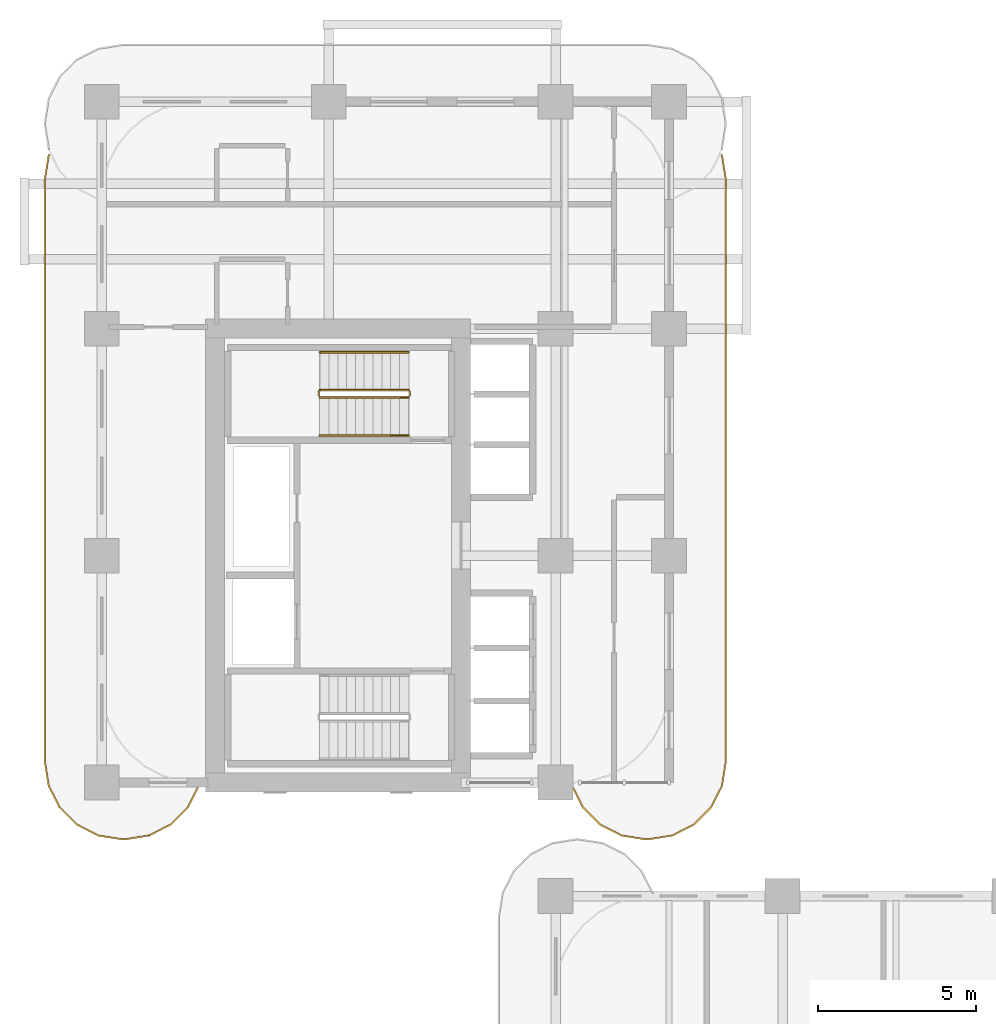
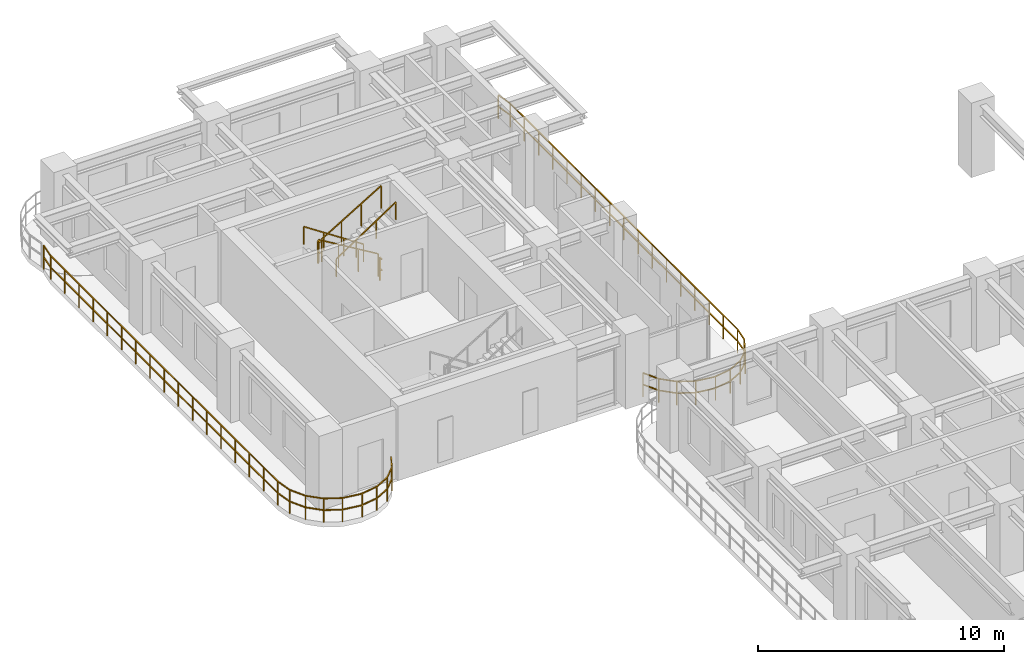
# One storey, part 17 of 18: 8 railings.
"""IFC4 building model written with IfcOpenShell, lengths in metres."""

from ifc_helpers import new_model, si_unit, derived_unit, direction, frame, origin, origin_2d, place, context, subcontext, project, spatial, rectangle, extrude, material, type_object, element, save


model = new_model("IFC4")

# Units and contexts
model_context = context("Model", 3, precision=1e-05, world=origin(), true_north=direction((0.0, 1.0)))
body_context = subcontext(model_context, "Body", "Model", "MODEL_VIEW")
ifc_project = project(units=[si_unit("LENGTHUNIT", "METRE"), si_unit("AREAUNIT", "SQUARE_METRE"), si_unit("VOLUMEUNIT", "CUBIC_METRE"), si_unit("PLANEANGLEUNIT", "RADIAN"), si_unit("MASSUNIT", "GRAM", prefix="KILO"), si_unit("THERMODYNAMICTEMPERATUREUNIT", "KELVIN"), si_unit("POWERUNIT", "WATT"), derived_unit("THERMALTRANSMITTANCEUNIT", [(si_unit("POWERUNIT", "WATT"), 1), (si_unit("AREAUNIT", "SQUARE_METRE"), -1), (si_unit("THERMODYNAMICTEMPERATUREUNIT", "KELVIN"), -1)])], contexts=[model_context])

# Site, building, storey
site_placement = place(None, origin())
site = spatial("IfcSite", under=ifc_project, at=site_placement, CompositionType="ELEMENT")
building_placement = place(site_placement, origin())
building = spatial("IfcBuilding", under=site, at=building_placement, Name="Zahravan Archway Hotel and Residences", CompositionType="ELEMENT")
storey_placement = place(building_placement, frame((0.0, 0.0, 50.89990234375)))
storey = spatial("IfcBuildingStorey", under=building, at=storey_placement, Name="L11", CompositionType="ELEMENT", Elevation=50.89990234375)

# Railings
ifc_material_1 = material(Name="Bronze & Laminated Glass Balustrade", Category="glass")
railing_type_1 = type_object("IfcRailingType", Name="RL-BAL-1200", PredefinedType="BALUSTRADE", material=ifc_material_1)
railing_1_placement = place(storey_placement, frame((3.080078125, 25.093017578125, 0.0)))
element("IfcRailing", 1, at=railing_1_placement, inside=storey, type_object=railing_type_1, Name="L11 Balustrade RL-SLB-BAL-L11-WB-1", PredefinedType="BALUSTRADE", context=body_context, shape_type="SweptSolid", body=[
    extrude(rectangle(XDim=0.048095703125, YDim=0.048095703125, at=origin_2d()), frame((0.0, 0.0, 1.17578125), z_axis=(-0.453825591531, -0.891090529897, 0.0), x_axis=(0.891090529897, -0.453825591531, 0.0)), (0.0, 0.0, 1.0), 0.7666015625),
    extrude(rectangle(XDim=0.048095703125, YDim=0.048095703125, at=origin_2d()), frame((0.0, 0.0, 0.60009765625), z_axis=(-0.453825591531, -0.891090529897, 0.0), x_axis=(0.891090529897, -0.453825591531, 0.0)), (0.0, 0.0, 1.0), 0.7666015625),
    extrude(rectangle(XDim=0.048095703125, YDim=0.048095703125, at=origin_2d()), frame((-0.347900390625, -0.68310546875, 1.17578125), z_axis=(-0.707106781187, -0.707106781187, 0.0), x_axis=(0.707106781187, -0.707106781187, 0.0)), (0.0, 0.0, 1.0), 0.7666015625),
    extrude(rectangle(XDim=0.048095703125, YDim=0.048095703125, at=origin_2d()), frame((-0.347900390625, -0.68310546875, 0.60009765625), z_axis=(-0.707106781187, -0.707106781187, 0.0), x_axis=(0.707106781187, -0.707106781187, 0.0)), (0.0, 0.0, 1.0), 0.7666015625),
    extrude(rectangle(XDim=0.048095703125, YDim=0.048095703125, at=origin_2d()), frame((-0.889892578125, -1.22509765625, 1.17578125), z_axis=(-0.891090529897, -0.453825591531, 0.0), x_axis=(0.453825591531, -0.891090529897, 0.0)), (0.0, 0.0, 1.0), 0.7666015625),
    extrude(rectangle(XDim=0.048095703125, YDim=0.048095703125, at=origin_2d()), frame((-0.889892578125, -1.22509765625, 0.60009765625), z_axis=(-0.891090529897, -0.453825591531, 0.0), x_axis=(0.453825591531, -0.891090529897, 0.0)), (0.0, 0.0, 1.0), 0.7666015625),
    extrude(rectangle(XDim=0.048095703125, YDim=0.048095703125, at=origin_2d()), frame((-1.572998046875, -1.572998046875, 1.17578125), z_axis=(-0.987646484274, -0.156698507018, 0.0), x_axis=(0.156698507018, -0.987646484274, 0.0)), (0.0, 0.0, 1.0), 0.7666015625),
    extrude(rectangle(XDim=0.048095703125, YDim=0.048095703125, at=origin_2d()), frame((-1.572998046875, -1.572998046875, 0.60009765625), z_axis=(-0.987646484274, -0.156698507018, 0.0), x_axis=(0.156698507018, -0.987646484274, 0.0)), (0.0, 0.0, 1.0), 0.7666015625),
    extrude(rectangle(XDim=0.048095703125, YDim=0.048095703125, at=origin_2d()), frame((-2.330078125, -1.693115234375, 1.17578125), z_axis=(-1.0, 0.0, 0.0), x_axis=(0.0, -1.0, 0.0)), (0.0, 0.0, 1.0), 0.10009765625),
    extrude(rectangle(XDim=0.048095703125, YDim=0.048095703125, at=origin_2d()), frame((-2.330078125, -1.693115234375, 0.60009765625), z_axis=(-1.0, 0.0, 0.0), x_axis=(0.0, -1.0, 0.0)), (0.0, 0.0, 1.0), 0.10009765625),
    extrude(rectangle(XDim=0.048095703125, YDim=0.048095703125, at=origin_2d()), frame((-2.43017578125, -1.693115234375, 1.17578125), z_axis=(-0.987646484274, 0.156698507018, 0.0), x_axis=(-0.156698507018, -0.987646484274, 0.0)), (0.0, 0.0, 1.0), 0.7666015625),
    extrude(rectangle(XDim=0.048095703125, YDim=0.048095703125, at=origin_2d()), frame((-2.43017578125, -1.693115234375, 0.60009765625), z_axis=(-0.987646484274, 0.156698507018, 0.0), x_axis=(-0.156698507018, -0.987646484274, 0.0)), (0.0, 0.0, 1.0), 0.7666015625),
    extrude(rectangle(XDim=0.048095703125, YDim=0.048095703125, at=origin_2d()), frame((-3.187255859375, -1.572998046875, 1.17578125), z_axis=(-0.891024909783, 0.453954414172, 0.0), x_axis=(-0.453954414172, -0.891024909783, 0.0)), (0.0, 0.0, 1.0), 0.766357421875),
    extrude(rectangle(XDim=0.048095703125, YDim=0.048095703125, at=origin_2d()), frame((-3.187255859375, -1.572998046875, 0.60009765625), z_axis=(-0.891024909783, 0.453954414172, 0.0), x_axis=(-0.453954414172, -0.891024909783, 0.0)), (0.0, 0.0, 1.0), 0.766357421875),
    extrude(rectangle(XDim=0.048095703125, YDim=0.048095703125, at=origin_2d()), frame((-3.8701171875, -1.22509765625, 1.17578125), z_axis=(-0.707106781187, 0.707106781187, 0.0), x_axis=(-0.707106781187, -0.707106781187, 0.0)), (0.0, 0.0, 1.0), 0.7666015625),
    extrude(rectangle(XDim=0.048095703125, YDim=0.048095703125, at=origin_2d()), frame((-3.8701171875, -1.22509765625, 0.60009765625), z_axis=(-0.707106781187, 0.707106781187, 0.0), x_axis=(-0.707106781187, -0.707106781187, 0.0)), (0.0, 0.0, 1.0), 0.7666015625),
    extrude(rectangle(XDim=0.048095703125, YDim=0.048095703125, at=origin_2d()), frame((-4.412109375, -0.68310546875, 1.17578125), z_axis=(-0.454078418624, 0.890961721815, 0.0), x_axis=(-0.890961721815, -0.454078418624, 0.0)), (0.0, 0.0, 1.0), 0.7666015625),
    extrude(rectangle(XDim=0.048095703125, YDim=0.048095703125, at=origin_2d()), frame((-4.412109375, -0.68310546875, 0.60009765625), z_axis=(-0.454078418624, 0.890961721815, 0.0), x_axis=(-0.890961721815, -0.454078418624, 0.0)), (0.0, 0.0, 1.0), 0.7666015625),
    extrude(rectangle(XDim=0.048095703125, YDim=0.048095703125, at=origin_2d()), frame((-4.76025390625, 0.0, 1.17578125), z_axis=(-0.156387811283, 0.987695728695, 0.0), x_axis=(-0.987695728695, -0.156387811283, 0.0)), (0.0, 0.0, 1.0), 0.7666015625),
    extrude(rectangle(XDim=0.048095703125, YDim=0.048095703125, at=origin_2d()), frame((-4.76025390625, 0.0, 0.60009765625), z_axis=(-0.156387811283, 0.987695728695, 0.0), x_axis=(-0.987695728695, -0.156387811283, 0.0)), (0.0, 0.0, 1.0), 0.7666015625),
    extrude(rectangle(XDim=0.048095703125, YDim=0.048095703125, at=origin_2d()), frame((-4.880126953125, 0.757080078125, 1.17578125), z_axis=(0.0, 1.0, 0.0), x_axis=(-1.0, 0.0, 0.0)), (0.0, 0.0, 1.0), 18.5),
    extrude(rectangle(XDim=0.048095703125, YDim=0.048095703125, at=origin_2d()), frame((-4.880126953125, 0.757080078125, 0.60009765625), z_axis=(0.0, 1.0, 0.0), x_axis=(-1.0, 0.0, 0.0)), (0.0, 0.0, 1.0), 18.5),
    extrude(rectangle(XDim=0.048095703125, YDim=0.048095703125, at=origin_2d()), frame((-4.880126953125, 19.257080078125, 1.17578125), z_axis=(0.156387811283, 0.987695728695, 0.0), x_axis=(-0.987695728695, 0.156387811283, 0.0)), (0.0, 0.0, 1.0), 0.7666015625),
    extrude(rectangle(XDim=0.048095703125, YDim=0.048095703125, at=origin_2d()), frame((-4.880126953125, 19.257080078125, 0.60009765625), z_axis=(0.156387811283, 0.987695728695, 0.0), x_axis=(-0.987695728695, 0.156387811283, 0.0)), (0.0, 0.0, 1.0), 0.7666015625),
    extrude(rectangle(XDim=0.0419921875, YDim=0.0419921875, at=origin_2d()), origin(), (0.0, 0.0, 1.0), 1.15185546875),
    extrude(rectangle(XDim=0.0419921875, YDim=0.0419921875, at=origin_2d()), frame((-0.347900390625, -0.68310546875, 0.0)), (0.0, 0.0, 1.0), 1.15185546875),
    extrude(rectangle(XDim=0.0419921875, YDim=0.0419921875, at=origin_2d()), frame((-0.889892578125, -1.22509765625, 0.0)), (0.0, 0.0, 1.0), 1.15185546875),
    extrude(rectangle(XDim=0.0419921875, YDim=0.0419921875, at=origin_2d()), frame((-1.572998046875, -1.572998046875, 0.0)), (0.0, 0.0, 1.0), 1.15185546875),
    extrude(rectangle(XDim=0.0419921875, YDim=0.0419921875, at=origin_2d()), frame((-2.330078125, -1.693115234375, 0.0)), (0.0, 0.0, 1.0), 1.15185546875),
    extrude(rectangle(XDim=0.0419921875, YDim=0.0419921875, at=origin_2d()), frame((-3.187255859375, -1.572998046875, 0.0)), (0.0, 0.0, 1.0), 1.15185546875),
    extrude(rectangle(XDim=0.0419921875, YDim=0.0419921875, at=origin_2d()), frame((-3.8701171875, -1.22509765625, 0.0)), (0.0, 0.0, 1.0), 1.15185546875),
    extrude(rectangle(XDim=0.0419921875, YDim=0.0419921875, at=origin_2d()), frame((-4.412109375, -0.68310546875, 0.0)), (0.0, 0.0, 1.0), 1.15185546875),
    extrude(rectangle(XDim=0.0419921875, YDim=0.0419921875, at=origin_2d()), frame((-4.76025390625, 0.0, 0.0)), (0.0, 0.0, 1.0), 1.15185546875),
    extrude(rectangle(XDim=0.0419921875, YDim=0.0419921875, at=origin_2d()), frame((-4.880126953125, 0.757080078125, 0.0)), (0.0, 0.0, 1.0), 1.15185546875),
    extrude(rectangle(XDim=0.0419921875, YDim=0.0419921875, at=origin_2d()), frame((-4.880126953125, 1.913330078125, 0.0)), (0.0, 0.0, 1.0), 1.15185546875),
    extrude(rectangle(XDim=0.0419921875, YDim=0.0419921875, at=origin_2d()), frame((-4.880126953125, 3.069580078125, 0.0)), (0.0, 0.0, 1.0), 1.15185546875),
    extrude(rectangle(XDim=0.0419921875, YDim=0.0419921875, at=origin_2d()), frame((-4.880126953125, 4.225830078125, 0.0)), (0.0, 0.0, 1.0), 1.15185546875),
    extrude(rectangle(XDim=0.0419921875, YDim=0.0419921875, at=origin_2d()), frame((-4.880126953125, 5.382080078125, 0.0)), (0.0, 0.0, 1.0), 1.15185546875),
    extrude(rectangle(XDim=0.0419921875, YDim=0.0419921875, at=origin_2d()), frame((-4.880126953125, 6.538330078125, 0.0)), (0.0, 0.0, 1.0), 1.15185546875),
    extrude(rectangle(XDim=0.0419921875, YDim=0.0419921875, at=origin_2d()), frame((-4.880126953125, 7.694580078125, 0.0)), (0.0, 0.0, 1.0), 1.15185546875),
    extrude(rectangle(XDim=0.0419921875, YDim=0.0419921875, at=origin_2d()), frame((-4.880126953125, 8.850830078125, 0.0)), (0.0, 0.0, 1.0), 1.15185546875),
    extrude(rectangle(XDim=0.0419921875, YDim=0.0419921875, at=origin_2d()), frame((-4.880126953125, 10.007080078125, 0.0)), (0.0, 0.0, 1.0), 1.15185546875),
    extrude(rectangle(XDim=0.0419921875, YDim=0.0419921875, at=origin_2d()), frame((-4.880126953125, 11.163330078125, 0.0)), (0.0, 0.0, 1.0), 1.15185546875),
    extrude(rectangle(XDim=0.0419921875, YDim=0.0419921875, at=origin_2d()), frame((-4.880126953125, 12.319580078125, 0.0)), (0.0, 0.0, 1.0), 1.15185546875),
    extrude(rectangle(XDim=0.0419921875, YDim=0.0419921875, at=origin_2d()), frame((-4.880126953125, 13.475830078125, 0.0)), (0.0, 0.0, 1.0), 1.15185546875),
    extrude(rectangle(XDim=0.0419921875, YDim=0.0419921875, at=origin_2d()), frame((-4.880126953125, 14.632080078125, 0.0)), (0.0, 0.0, 1.0), 1.15185546875),
    extrude(rectangle(XDim=0.0419921875, YDim=0.0419921875, at=origin_2d()), frame((-4.880126953125, 15.788330078125, 0.0)), (0.0, 0.0, 1.0), 1.15185546875),
    extrude(rectangle(XDim=0.0419921875, YDim=0.0419921875, at=origin_2d()), frame((-4.880126953125, 16.944580078125, 0.0)), (0.0, 0.0, 1.0), 1.15185546875),
    extrude(rectangle(XDim=0.0419921875, YDim=0.0419921875, at=origin_2d()), frame((-4.880126953125, 18.100830078125, 0.0)), (0.0, 0.0, 1.0), 1.15185546875),
    extrude(rectangle(XDim=0.0419921875, YDim=0.0419921875, at=origin_2d()), frame((-4.880126953125, 19.257080078125, 0.0)), (0.0, 0.0, 1.0), 1.15185546875),
    extrude(rectangle(XDim=0.0419921875, YDim=0.0419921875, at=origin_2d()), frame((-4.76025390625, 20.01416015625, 0.0)), (0.0, 0.0, 1.0), 1.15185546875),
])
railing_2_placement = place(storey_placement, frame((19.68017578125, 45.107177734375, 0.0)))
element("IfcRailing", 2, at=railing_2_placement, inside=storey, type_object=railing_type_1, Name="L11 Balustrade RL-SLB-BAL-L11-EB-1", PredefinedType="BALUSTRADE", context=body_context, shape_type="SweptSolid", body=[
    extrude(rectangle(XDim=0.048095703125, YDim=0.048095703125, at=origin_2d()), frame((0.0, 0.0, 1.17578125), z_axis=(0.156387811283, -0.987695728695, 0.0), x_axis=(0.987695728695, 0.156387811283, 0.0)), (0.0, 0.0, 1.0), 0.7666015625),
    extrude(rectangle(XDim=0.048095703125, YDim=0.048095703125, at=origin_2d()), frame((0.0, 0.0, 0.60009765625), z_axis=(0.156387811283, -0.987695728695, 0.0), x_axis=(0.987695728695, 0.156387811283, 0.0)), (0.0, 0.0, 1.0), 0.7666015625),
    extrude(rectangle(XDim=0.048095703125, YDim=0.048095703125, at=origin_2d()), frame((0.119873046875, -0.757080078125, 1.17578125), z_axis=(0.0, -1.0, 0.0), x_axis=(1.0, 0.0, 0.0)), (0.0, 0.0, 1.0), 18.5),
    extrude(rectangle(XDim=0.048095703125, YDim=0.048095703125, at=origin_2d()), frame((0.119873046875, -0.757080078125, 0.60009765625), z_axis=(0.0, -1.0, 0.0), x_axis=(1.0, 0.0, 0.0)), (0.0, 0.0, 1.0), 18.5),
    extrude(rectangle(XDim=0.048095703125, YDim=0.048095703125, at=origin_2d()), frame((0.119873046875, -19.257080078125, 1.17578125), z_axis=(-0.156387811283, -0.987695728695, 0.0), x_axis=(0.987695728695, -0.156387811283, 0.0)), (0.0, 0.0, 1.0), 0.7666015625),
    extrude(rectangle(XDim=0.048095703125, YDim=0.048095703125, at=origin_2d()), frame((0.119873046875, -19.257080078125, 0.60009765625), z_axis=(-0.156387811283, -0.987695728695, 0.0), x_axis=(0.987695728695, -0.156387811283, 0.0)), (0.0, 0.0, 1.0), 0.7666015625),
    extrude(rectangle(XDim=0.048095703125, YDim=0.048095703125, at=origin_2d()), frame((0.0, -20.01416015625, 1.17578125), z_axis=(-0.454078418624, -0.890961721815, 0.0), x_axis=(0.890961721815, -0.454078418624, 0.0)), (0.0, 0.0, 1.0), 0.7666015625),
    extrude(rectangle(XDim=0.048095703125, YDim=0.048095703125, at=origin_2d()), frame((0.0, -20.01416015625, 0.60009765625), z_axis=(-0.454078418624, -0.890961721815, 0.0), x_axis=(0.890961721815, -0.454078418624, 0.0)), (0.0, 0.0, 1.0), 0.7666015625),
    extrude(rectangle(XDim=0.048095703125, YDim=0.048095703125, at=origin_2d()), frame((-0.34814453125, -20.697265625, 1.17578125), z_axis=(-0.707106781187, -0.707106781187, 0.0), x_axis=(0.707106781187, -0.707106781187, 0.0)), (0.0, 0.0, 1.0), 0.7666015625),
    extrude(rectangle(XDim=0.048095703125, YDim=0.048095703125, at=origin_2d()), frame((-0.34814453125, -20.697265625, 0.60009765625), z_axis=(-0.707106781187, -0.707106781187, 0.0), x_axis=(0.707106781187, -0.707106781187, 0.0)), (0.0, 0.0, 1.0), 0.7666015625),
    extrude(rectangle(XDim=0.048095703125, YDim=0.048095703125, at=origin_2d()), frame((-0.89013671875, -21.2392578125, 1.17578125), z_axis=(-0.891024909783, -0.453954414172, 0.0), x_axis=(0.453954414172, -0.891024909783, 0.0)), (0.0, 0.0, 1.0), 0.766357421875),
    extrude(rectangle(XDim=0.048095703125, YDim=0.048095703125, at=origin_2d()), frame((-0.89013671875, -21.2392578125, 0.60009765625), z_axis=(-0.891024909783, -0.453954414172, 0.0), x_axis=(0.453954414172, -0.891024909783, 0.0)), (0.0, 0.0, 1.0), 0.766357421875),
    extrude(rectangle(XDim=0.048095703125, YDim=0.048095703125, at=origin_2d()), frame((-1.572998046875, -21.587158203125, 1.17578125), z_axis=(-0.987646484274, -0.156698507018, 0.0), x_axis=(0.156698507018, -0.987646484274, 0.0)), (0.0, 0.0, 1.0), 0.7666015625),
    extrude(rectangle(XDim=0.048095703125, YDim=0.048095703125, at=origin_2d()), frame((-1.572998046875, -21.587158203125, 0.60009765625), z_axis=(-0.987646484274, -0.156698507018, 0.0), x_axis=(0.156698507018, -0.987646484274, 0.0)), (0.0, 0.0, 1.0), 0.7666015625),
    extrude(rectangle(XDim=0.048095703125, YDim=0.048095703125, at=origin_2d()), frame((-2.330078125, -21.707275390625, 1.17578125), z_axis=(-1.0, 0.0, 0.0), x_axis=(0.0, -1.0, 0.0)), (0.0, 0.0, 1.0), 0.10009765625),
    extrude(rectangle(XDim=0.048095703125, YDim=0.048095703125, at=origin_2d()), frame((-2.330078125, -21.707275390625, 0.60009765625), z_axis=(-1.0, 0.0, 0.0), x_axis=(0.0, -1.0, 0.0)), (0.0, 0.0, 1.0), 0.10009765625),
    extrude(rectangle(XDim=0.048095703125, YDim=0.048095703125, at=origin_2d()), frame((-2.43017578125, -21.707275390625, 1.17578125), z_axis=(-0.987646484274, 0.156698507018, 0.0), x_axis=(-0.156698507018, -0.987646484274, 0.0)), (0.0, 0.0, 1.0), 0.7666015625),
    extrude(rectangle(XDim=0.048095703125, YDim=0.048095703125, at=origin_2d()), frame((-2.43017578125, -21.707275390625, 0.60009765625), z_axis=(-0.987646484274, 0.156698507018, 0.0), x_axis=(-0.156698507018, -0.987646484274, 0.0)), (0.0, 0.0, 1.0), 0.7666015625),
    extrude(rectangle(XDim=0.048095703125, YDim=0.048095703125, at=origin_2d()), frame((-3.187255859375, -21.587158203125, 1.17578125), z_axis=(-0.891090529897, 0.453825591531, 0.0), x_axis=(-0.453825591531, -0.891090529897, 0.0)), (0.0, 0.0, 1.0), 0.7666015625),
    extrude(rectangle(XDim=0.048095703125, YDim=0.048095703125, at=origin_2d()), frame((-3.187255859375, -21.587158203125, 0.60009765625), z_axis=(-0.891090529897, 0.453825591531, 0.0), x_axis=(-0.453825591531, -0.891090529897, 0.0)), (0.0, 0.0, 1.0), 0.7666015625),
    extrude(rectangle(XDim=0.048095703125, YDim=0.048095703125, at=origin_2d()), frame((-3.870361328125, -21.2392578125, 1.17578125), z_axis=(-0.707106781187, 0.707106781187, 0.0), x_axis=(-0.707106781187, -0.707106781187, 0.0)), (0.0, 0.0, 1.0), 0.7666015625),
    extrude(rectangle(XDim=0.048095703125, YDim=0.048095703125, at=origin_2d()), frame((-3.870361328125, -21.2392578125, 0.60009765625), z_axis=(-0.707106781187, 0.707106781187, 0.0), x_axis=(-0.707106781187, -0.707106781187, 0.0)), (0.0, 0.0, 1.0), 0.7666015625),
    extrude(rectangle(XDim=0.048095703125, YDim=0.048095703125, at=origin_2d()), frame((-4.412353515625, -20.697265625, 1.17578125), z_axis=(-0.453825591531, 0.891090529897, 0.0), x_axis=(-0.891090529897, -0.453825591531, 0.0)), (0.0, 0.0, 1.0), 0.7666015625),
    extrude(rectangle(XDim=0.048095703125, YDim=0.048095703125, at=origin_2d()), frame((-4.412353515625, -20.697265625, 0.60009765625), z_axis=(-0.453825591531, 0.891090529897, 0.0), x_axis=(-0.891090529897, -0.453825591531, 0.0)), (0.0, 0.0, 1.0), 0.7666015625),
    extrude(rectangle(XDim=0.0419921875, YDim=0.0419921875, at=origin_2d()), origin(), (0.0, 0.0, 1.0), 1.15185546875),
    extrude(rectangle(XDim=0.0419921875, YDim=0.0419921875, at=origin_2d()), frame((0.119873046875, -0.757080078125, 0.0)), (0.0, 0.0, 1.0), 1.15185546875),
    extrude(rectangle(XDim=0.0419921875, YDim=0.0419921875, at=origin_2d()), frame((0.119873046875, -1.913330078125, 0.0)), (0.0, 0.0, 1.0), 1.15185546875),
    extrude(rectangle(XDim=0.0419921875, YDim=0.0419921875, at=origin_2d()), frame((0.119873046875, -3.069580078125, 0.0)), (0.0, 0.0, 1.0), 1.15185546875),
    extrude(rectangle(XDim=0.0419921875, YDim=0.0419921875, at=origin_2d()), frame((0.119873046875, -4.225830078125, 0.0)), (0.0, 0.0, 1.0), 1.15185546875),
    extrude(rectangle(XDim=0.0419921875, YDim=0.0419921875, at=origin_2d()), frame((0.119873046875, -5.382080078125, 0.0)), (0.0, 0.0, 1.0), 1.15185546875),
    extrude(rectangle(XDim=0.0419921875, YDim=0.0419921875, at=origin_2d()), frame((0.119873046875, -6.538330078125, 0.0)), (0.0, 0.0, 1.0), 1.15185546875),
    extrude(rectangle(XDim=0.0419921875, YDim=0.0419921875, at=origin_2d()), frame((0.119873046875, -7.694580078125, 0.0)), (0.0, 0.0, 1.0), 1.15185546875),
    extrude(rectangle(XDim=0.0419921875, YDim=0.0419921875, at=origin_2d()), frame((0.119873046875, -8.850830078125, 0.0)), (0.0, 0.0, 1.0), 1.15185546875),
    extrude(rectangle(XDim=0.0419921875, YDim=0.0419921875, at=origin_2d()), frame((0.119873046875, -10.007080078125, 0.0)), (0.0, 0.0, 1.0), 1.15185546875),
    extrude(rectangle(XDim=0.0419921875, YDim=0.0419921875, at=origin_2d()), frame((0.119873046875, -11.163330078125, 0.0)), (0.0, 0.0, 1.0), 1.15185546875),
    extrude(rectangle(XDim=0.0419921875, YDim=0.0419921875, at=origin_2d()), frame((0.119873046875, -12.319580078125, 0.0)), (0.0, 0.0, 1.0), 1.15185546875),
    extrude(rectangle(XDim=0.0419921875, YDim=0.0419921875, at=origin_2d()), frame((0.119873046875, -13.475830078125, 0.0)), (0.0, 0.0, 1.0), 1.15185546875),
    extrude(rectangle(XDim=0.0419921875, YDim=0.0419921875, at=origin_2d()), frame((0.119873046875, -14.632080078125, 0.0)), (0.0, 0.0, 1.0), 1.15185546875),
    extrude(rectangle(XDim=0.0419921875, YDim=0.0419921875, at=origin_2d()), frame((0.119873046875, -15.788330078125, 0.0)), (0.0, 0.0, 1.0), 1.15185546875),
    extrude(rectangle(XDim=0.0419921875, YDim=0.0419921875, at=origin_2d()), frame((0.119873046875, -16.944580078125, 0.0)), (0.0, 0.0, 1.0), 1.15185546875),
    extrude(rectangle(XDim=0.0419921875, YDim=0.0419921875, at=origin_2d()), frame((0.119873046875, -18.100830078125, 0.0)), (0.0, 0.0, 1.0), 1.15185546875),
    extrude(rectangle(XDim=0.0419921875, YDim=0.0419921875, at=origin_2d()), frame((0.119873046875, -19.257080078125, 0.0)), (0.0, 0.0, 1.0), 1.15185546875),
    extrude(rectangle(XDim=0.0419921875, YDim=0.0419921875, at=origin_2d()), frame((0.0, -20.01416015625, 0.0)), (0.0, 0.0, 1.0), 1.15185546875),
    extrude(rectangle(XDim=0.0419921875, YDim=0.0419921875, at=origin_2d()), frame((-0.34814453125, -20.697265625, 0.0)), (0.0, 0.0, 1.0), 1.15185546875),
    extrude(rectangle(XDim=0.0419921875, YDim=0.0419921875, at=origin_2d()), frame((-0.89013671875, -21.2392578125, 0.0)), (0.0, 0.0, 1.0), 1.15185546875),
    extrude(rectangle(XDim=0.0419921875, YDim=0.0419921875, at=origin_2d()), frame((-1.572998046875, -21.587158203125, 0.0)), (0.0, 0.0, 1.0), 1.15185546875),
    extrude(rectangle(XDim=0.0419921875, YDim=0.0419921875, at=origin_2d()), frame((-2.330078125, -21.707275390625, 0.0)), (0.0, 0.0, 1.0), 1.15185546875),
    extrude(rectangle(XDim=0.0419921875, YDim=0.0419921875, at=origin_2d()), frame((-3.187255859375, -21.587158203125, 0.0)), (0.0, 0.0, 1.0), 1.15185546875),
    extrude(rectangle(XDim=0.0419921875, YDim=0.0419921875, at=origin_2d()), frame((-3.870361328125, -21.2392578125, 0.0)), (0.0, 0.0, 1.0), 1.15185546875),
    extrude(rectangle(XDim=0.0419921875, YDim=0.0419921875, at=origin_2d()), frame((-4.412353515625, -20.697265625, 0.0)), (0.0, 0.0, 1.0), 1.15185546875),
    extrude(rectangle(XDim=0.0419921875, YDim=0.0419921875, at=origin_2d()), frame((-4.76025390625, -20.01416015625, 0.0)), (0.0, 0.0, 1.0), 1.15185546875),
])
ifc_material_2 = material(Name="Painted Tubular Steel", Category="steel")
railing_type_2 = type_object("IfcRailingType", Name="RL-STG-1150", PredefinedType="GUARDRAIL", material=ifc_material_2)
railing_3_placement = place(storey_placement, frame((9.72998046875, 37.64990234375, 0.168212890625)))
element("IfcRailing", 3, at=railing_3_placement, inside=storey, type_object=railing_type_2, Name="L11 ST-B2 stair guard 1", PredefinedType="GUARDRAIL", context=body_context, shape_type="SweptSolid", body=[
    extrude(rectangle(XDim=0.048095703125, YDim=0.048095703125, at=origin_2d()), frame((0.0, 0.0, 1.1259765625), z_axis=(-0.857242210791, 0.0, 0.514913383045), x_axis=(0.0, -1.0, 0.0)), (0.0, 0.0, 1.0), 3.266357421875),
    extrude(rectangle(XDim=0.0419921875, YDim=0.0419921875, at=origin_2d()), origin(), (0.0, 0.0, 1.0), 1.101806640625),
    extrude(rectangle(XDim=0.0419921875, YDim=0.0419921875, at=origin_2d()), frame((-0.933349609375, 0.0, 0.560546875)), (0.0, 0.0, 1.0), 1.101806640625),
    extrude(rectangle(XDim=0.0419921875, YDim=0.0419921875, at=origin_2d()), frame((-1.86669921875, 0.0, 1.121337890625)), (0.0, 0.0, 1.0), 1.101806640625),
    extrude(rectangle(XDim=0.0419921875, YDim=0.0419921875, at=origin_2d()), frame((-2.800048828125, 0.0, 1.681884765625)), (0.0, 0.0, 1.0), 1.101806640625),
])
railing_4_placement = place(storey_placement, frame((6.8798828125, 37.60009765625, 1.85009765625)))
element("IfcRailing", 4, at=railing_4_placement, inside=storey, type_object=railing_type_2, Name="L11 ST-B2 stair guard 2", PredefinedType="GUARDRAIL", context=body_context, shape_type="SweptSolid", body=[
    extrude(rectangle(XDim=0.048095703125, YDim=0.048095703125, at=origin_2d()), frame((0.0, 0.0, 1.1259765625), z_axis=(0.0, -1.0, 0.0), x_axis=(1.0, 0.0, 0.0)), (0.0, 0.0, 1.0), 0.14013671875),
    extrude(rectangle(XDim=0.048095703125, YDim=0.048095703125, at=origin_2d()), frame((0.0, 0.0, 0.574951171875), z_axis=(0.0, -1.0, 0.0), x_axis=(1.0, 0.0, 0.0)), (0.0, 0.0, 1.0), 0.14013671875),
    extrude(rectangle(XDim=0.0419921875, YDim=0.0419921875, at=origin_2d()), origin(), (0.0, 0.0, 1.0), 1.101806640625),
])
railing_5_placement = place(storey_placement, frame((6.929931640625, 37.409912109375, 2.018310546875)))
element("IfcRailing", 5, at=railing_5_placement, inside=storey, type_object=railing_type_2, Name="L11 ST-B2 stair guard 3", PredefinedType="GUARDRAIL", context=body_context, shape_type="SweptSolid", body=[
    extrude(rectangle(XDim=0.048095703125, YDim=0.048095703125, at=origin_2d()), frame((0.0, 0.0, 1.1259765625), z_axis=(0.857242210791, 0.0, 0.514913383045), x_axis=(0.0, 1.0, 0.0)), (0.0, 0.0, 1.0), 3.266357421875),
    extrude(rectangle(XDim=0.0419921875, YDim=0.0419921875, at=origin_2d()), origin(), (0.0, 0.0, 1.0), 1.101806640625),
    extrude(rectangle(XDim=0.0419921875, YDim=0.0419921875, at=origin_2d()), frame((0.933349609375, 0.0, 0.560546875)), (0.0, 0.0, 1.0), 1.101806640625),
    extrude(rectangle(XDim=0.0419921875, YDim=0.0419921875, at=origin_2d()), frame((1.86669921875, 0.0, 1.121337890625)), (0.0, 0.0, 1.0), 1.101806640625),
    extrude(rectangle(XDim=0.0419921875, YDim=0.0419921875, at=origin_2d()), frame((2.800048828125, 0.0, 1.681884765625)), (0.0, 0.0, 1.0), 1.101806640625),
])
railing_6_placement = place(storey_placement, frame((9.780029296875, 37.60009765625, 0.0)))
element("IfcRailing", 6, at=railing_6_placement, inside=storey, type_object=railing_type_2, Name="L11 ST-B2 stair guard 4", PredefinedType="GUARDRAIL", context=body_context, shape_type="SweptSolid", body=[
    extrude(rectangle(XDim=0.048095703125, YDim=0.048095703125, at=origin_2d()), frame((0.0, 0.0, 1.1259765625), z_axis=(0.0, -1.0, 0.0), x_axis=(1.0, 0.0, 0.0)), (0.0, 0.0, 1.0), 0.14013671875),
    extrude(rectangle(XDim=0.048095703125, YDim=0.048095703125, at=origin_2d()), frame((0.0, 0.0, 0.574951171875), z_axis=(0.0, -1.0, 0.0), x_axis=(1.0, 0.0, 0.0)), (0.0, 0.0, 1.0), 0.14013671875),
    extrude(rectangle(XDim=0.0419921875, YDim=0.0419921875, at=origin_2d()), origin(), (0.0, 0.0, 1.0), 1.101806640625),
])
ifc_material_3 = material(Name="Brushed Stainless Steel", Category="steel")
railing_type_3 = type_object("IfcRailingType", Name="RL-STH-900", PredefinedType="HANDRAIL", material=ifc_material_3)
railing_7_placement = place(storey_placement, frame((9.72998046875, 38.85009765625, 0.168212890625)))
element("IfcRailing", 7, at=railing_7_placement, inside=storey, type_object=railing_type_3, Name="L11 ST-B2 stair handrail 1", PredefinedType="HANDRAIL", context=body_context, shape_type="SweptSolid", body=[
    extrude(rectangle(XDim=0.048095703125, YDim=0.048095703125, at=origin_2d()), frame((0.0, 0.0, 0.8759765625), z_axis=(-0.834326358476, 0.0, 0.551270829586), x_axis=(0.0, -1.0, 0.0)), (0.0, 0.0, 1.0), 3.35595703125),
    extrude(rectangle(XDim=0.0419921875, YDim=0.0419921875, at=origin_2d()), origin(), (0.0, 0.0, 1.0), 0.851806640625),
    extrude(rectangle(XDim=0.0419921875, YDim=0.0419921875, at=origin_2d()), frame((-0.933349609375, 0.0, 0.61669921875)), (0.0, 0.0, 1.0), 0.851806640625),
    extrude(rectangle(XDim=0.0419921875, YDim=0.0419921875, at=origin_2d()), frame((-1.86669921875, 0.0, 1.2333984375)), (0.0, 0.0, 1.0), 0.851806640625),
    extrude(rectangle(XDim=0.0419921875, YDim=0.0419921875, at=origin_2d()), frame((-2.800048828125, 0.0, 1.85009765625)), (0.0, 0.0, 1.0), 0.851806640625),
])
railing_8_placement = place(storey_placement, frame((6.929931640625, 36.2099609375, 2.018310546875)))
element("IfcRailing", 8, at=railing_8_placement, inside=storey, type_object=railing_type_3, Name="L11 ST-B2 stair handrail 2", PredefinedType="HANDRAIL", context=body_context, shape_type="SweptSolid", body=[
    extrude(rectangle(XDim=0.048095703125, YDim=0.048095703125, at=origin_2d()), frame((0.0, 0.0, 0.8759765625), z_axis=(0.83435981716, 0.0, 0.551220187865), x_axis=(0.0, 1.0, 0.0)), (0.0, 0.0, 1.0), 3.35595703125),
    extrude(rectangle(XDim=0.0419921875, YDim=0.0419921875, at=origin_2d()), origin(), (0.0, 0.0, 1.0), 0.851806640625),
    extrude(rectangle(XDim=0.0419921875, YDim=0.0419921875, at=origin_2d()), frame((0.933349609375, 0.0, 0.61669921875)), (0.0, 0.0, 1.0), 0.851806640625),
    extrude(rectangle(XDim=0.0419921875, YDim=0.0419921875, at=origin_2d()), frame((1.86669921875, 0.0, 1.233154296875)), (0.0, 0.0, 1.0), 0.851806640625),
    extrude(rectangle(XDim=0.0419921875, YDim=0.0419921875, at=origin_2d()), frame((2.800048828125, 0.0, 1.849853515625)), (0.0, 0.0, 1.0), 0.851806640625),
])

save(model, "model.ifc")
